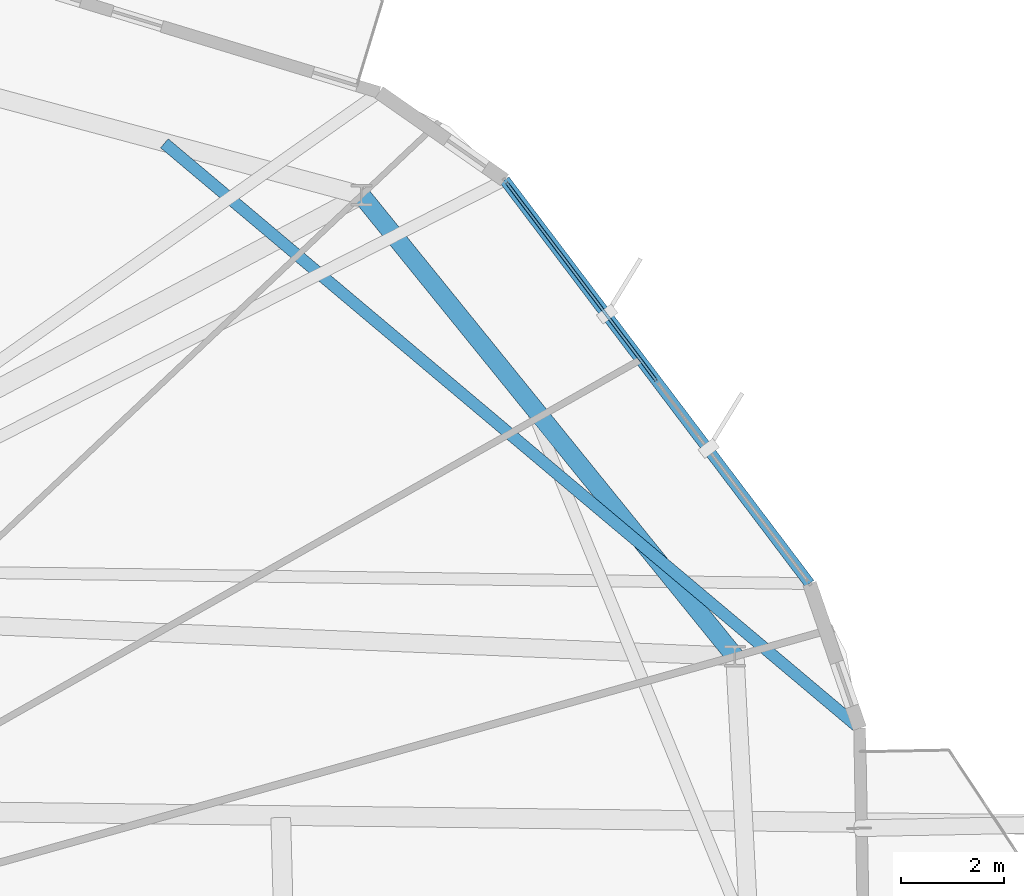
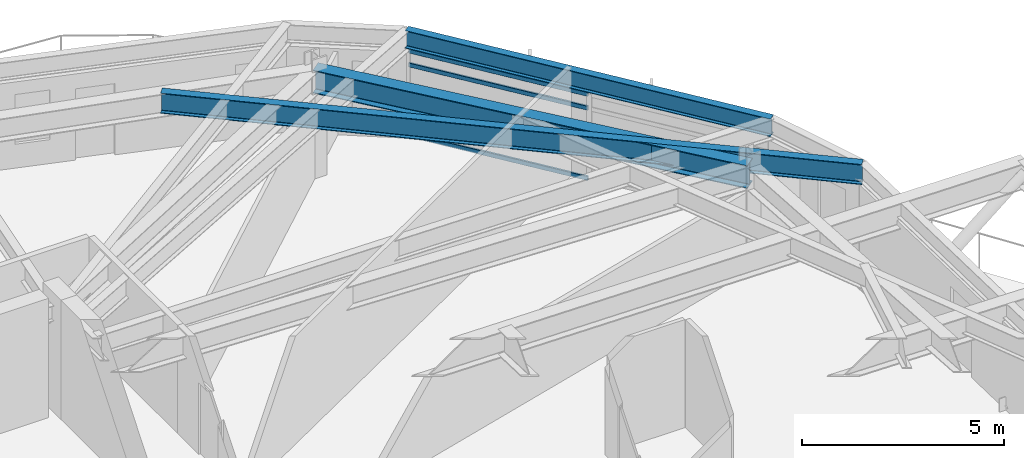
# One storey, part 24 of 34: 3 beams, 3 members, 1 element without a shape of its own.
"""IFC4 building model written with IfcOpenShell, lengths in metres."""

from ifc_helpers import new_model, si_unit, direction, frame, origin, origin_2d, place, context, subcontext, project, spatial, hollow_rectangle, i_section, extrude, material, layer, layer_set, material_profile, profile_set, type_object, element, aggregate, save


model = new_model("IFC4")

# Units and contexts
model_context = context("Model", 3, precision=1e-05, world=origin(), true_north=direction((0.0, 1.0)))
body_context = subcontext(model_context, "Body", "Model", "MODEL_VIEW")
ifc_project = project(units=[si_unit("LENGTHUNIT", "METRE"), si_unit("AREAUNIT", "SQUARE_METRE"), si_unit("VOLUMEUNIT", "CUBIC_METRE"), si_unit("PLANEANGLEUNIT", "RADIAN"), si_unit("MASSUNIT", "GRAM", prefix="KILO")], contexts=[model_context])

# Site, building, storey
site_placement = place(None, origin())
site = spatial("IfcSite", under=ifc_project, at=site_placement, CompositionType="ELEMENT")
building_placement = place(site_placement, origin())
building = spatial("IfcBuilding", under=site, at=building_placement, Name="Soratama Intermodal Tower", CompositionType="ELEMENT")
storey_placement = place(building_placement, frame((0.0, 0.0, 233.800048828125)))
storey = spatial("IfcBuildingStorey", under=building, at=storey_placement, Name="L59", CompositionType="ELEMENT", Elevation=233.800048828125)

# Beams
ifc_material_1 = material(Name="Structural steel ASTM A992 Grade 50", Category="steel")
ifc_material_profile_1 = material_profile(ifc_material_1, i_section(OverallWidth=0.35498046875, OverallDepth=0.695068359375, WebThickness=0.015380859375, FlangeThickness=0.02490234375, FilletRadius=0.01611328125, at=origin_2d()), Name="W27X146")
ifc_profile_set_1 = profile_set([ifc_material_profile_1], Name="Structural steel ASTM A992 Grade 50")
beam_type_1 = type_object("IfcBeamType", Name="BM-RING-W27X146", PredefinedType="BEAM", material=ifc_profile_set_1)
beam_1_placement = place(storey_placement, frame((62.364990234375, 31.666015625, 2.87255859375), z_axis=(-0.629384551156, 0.777094001242, 0.0), x_axis=(-0.777094001242, -0.629384551156, 0.0)))
element("IfcBeam", 1, at=beam_1_placement, inside=storey, type_object=beam_type_1, Name="BM-L59-RING-01", PredefinedType="BEAM", context=body_context, shape_type="SweptSolid", body=[
    extrude(i_section(OverallWidth=0.35498046875, OverallDepth=0.695068359375, WebThickness=0.015380859375, FlangeThickness=0.02490234375, FilletRadius=0.01611328125, at=origin_2d()), origin(), (0.0, 0.0, 1.0), 11.49560546875),
])
ifc_material_2 = material(Name="Structural steel ASTM A992 Grade 50", Category="steel")
ifc_material_profile_2 = material_profile(ifc_material_2, i_section(OverallWidth=0.2099609375, OverallDepth=0.537109375, WebThickness=0.010986328125, FlangeThickness=0.017333984375, FilletRadius=0.012939453125, at=origin_2d()), Name="W21X68")
ifc_profile_set_2 = profile_set([ifc_material_profile_2], Name="Structural steel ASTM A992 Grade 50")
beam_type_2 = type_object("IfcBeamType", Name="BM-SPN-W21X68", PredefinedType="SPANDREL", material=ifc_profile_set_2)
beam_2_placement = place(storey_placement, frame((63.81201171875, 33.075927734375, 2.951416015625), z_axis=(-0.602941998003, 0.797785025582, 0.0), x_axis=(-0.797785025582, -0.602941998003, 0.0)))
element("IfcBeam", 2, at=beam_2_placement, inside=storey, type_object=beam_type_2, Name="BS-L59-F10", PredefinedType="SPANDREL", context=body_context, shape_type="SweptSolid", body=[
    extrude(i_section(OverallWidth=0.2099609375, OverallDepth=0.537109375, WebThickness=0.010986328125, FlangeThickness=0.017333984375, FilletRadius=0.012939453125, at=origin_2d()), origin(), (0.0, 0.0, 1.0), 9.798583984375),
])
ifc_material_3 = material(Name="Structural steel ASTM A992 Grade 50", Category="steel")
ifc_material_profile_3 = material_profile(ifc_material_3, i_section(OverallWidth=0.22900390625, OverallDepth=0.612060546875, WebThickness=0.011962890625, FlangeThickness=0.01953125, FilletRadius=0.012939453125, at=origin_2d()), Name="W24X84")
ifc_profile_set_3 = profile_set([ifc_material_profile_3], Name="Structural steel ASTM A992 Grade 50")
beam_type_3 = type_object("IfcBeamType", Name="BM-TIE-W24X84", PredefinedType="BEAM", material=ifc_profile_set_3)
beam_3_placement = place(storey_placement, frame((51.31201171875, 41.60498046875, 2.9140625), z_axis=(0.765198864296, -0.643793987297, 0.0), x_axis=(0.643793987297, 0.765198864296, 0.0)))
element("IfcBeam", 3, at=beam_3_placement, inside=storey, type_object=beam_type_3, Name="BM-L59-TIE1-09", PredefinedType="BEAM", context=body_context, shape_type="SweptSolid", body=[
    extrude(i_section(OverallWidth=0.22900390625, OverallDepth=0.612060546875, WebThickness=0.011962890625, FlangeThickness=0.01953125, FilletRadius=0.012939453125, at=origin_2d()), origin(), (0.0, 0.0, 1.0), 17.60205078125),
])

# Curtain wall, members
ifc_material_4 = material(Name="Double-glazed aluminium curtain wall", Category="aluminium")
ifc_layer = layer(ifc_material_4, 0.159912109375)
ifc_layer_set = layer_set([ifc_layer], Name="Double-glazed aluminium curtain wall")
curtain_wall_type = type_object("IfcCurtainWallType", Name="CW-SYS-5", PredefinedType="NOTDEFINED", material=ifc_layer_set)
curtain_wall_placement = place(storey_placement, origin())
curtain_wall = element("IfcCurtainWall", 4, at=curtain_wall_placement, inside=storey, type_object=curtain_wall_type, Name="L59 Faceted Curtain Wall F10", PredefinedType="NOTDEFINED")
ifc_material_5 = material(Name="Anodised aluminium AA 6063-T6", Category="aluminium")
ifc_material_profile_4 = material_profile(ifc_material_5, hollow_rectangle(XDim=0.06005859375, YDim=0.1298828125, WallThickness=0.0048828125, InnerFilletRadius=0.0048828125, OuterFilletRadius=0.010009765625, at=origin_2d()), Name="CWT130X60X5")
ifc_profile_set_4 = profile_set([ifc_material_profile_4], Name="Anodised aluminium AA 6063-T6")
member_type = type_object("IfcMemberType", Name="TT-CWT-2", PredefinedType="USERDEFINED", material=ifc_profile_set_4)
member_1_placement = place(storey_placement, frame((60.83984375, 37.00830078125, 0.030029296875), z_axis=(-0.602936506073, 0.797789176189, 0.0), x_axis=(-0.797789176189, -0.602936506073, 0.0)))
member_1 = element("IfcMember", 5, at=member_1_placement, type_object=member_type, Name="CW-5 transom 2.1", ObjectType="TRANSOM", PredefinedType="USERDEFINED", context=body_context, shape_type="SweptSolid", body=[
    extrude(hollow_rectangle(XDim=0.06005859375, YDim=0.1298828125, WallThickness=0.0048828125, InnerFilletRadius=0.0048828125, OuterFilletRadius=0.010009765625, at=origin_2d()), origin(), (0.0, 0.0, 1.0), 4.808837890625),
])
member_2_placement = place(storey_placement, frame((60.83984375, 37.00830078125, 2.14990234375), z_axis=(-0.602936506073, 0.797789176189, 0.0), x_axis=(-0.797789176189, -0.602936506073, 0.0)))
member_2 = element("IfcMember", 6, at=member_2_placement, type_object=member_type, Name="CW-5 transom 2.2", ObjectType="TRANSOM", PredefinedType="USERDEFINED", context=body_context, shape_type="SweptSolid", body=[
    extrude(hollow_rectangle(XDim=0.06005859375, YDim=0.1298828125, WallThickness=0.0048828125, InnerFilletRadius=0.0048828125, OuterFilletRadius=0.010009765625, at=origin_2d()), origin(), (0.0, 0.0, 1.0), 4.808837890625),
])
member_3_placement = place(storey_placement, frame((60.83984375, 37.00830078125, 2.56884765625), z_axis=(-0.602936506073, 0.797789176189, 0.0), x_axis=(-0.797789176189, -0.602936506073, 0.0)))
member_3 = element("IfcMember", 7, at=member_3_placement, type_object=member_type, Name="CW-5 transom 2.3", ObjectType="TRANSOM", PredefinedType="USERDEFINED", context=body_context, shape_type="SweptSolid", body=[
    extrude(hollow_rectangle(XDim=0.06005859375, YDim=0.1298828125, WallThickness=0.0048828125, InnerFilletRadius=0.0048828125, OuterFilletRadius=0.010009765625, at=origin_2d()), origin(), (0.0, 0.0, 1.0), 4.808837890625),
])
aggregate(curtain_wall, [member_1, member_2, member_3])

save(model, "model.ifc")
